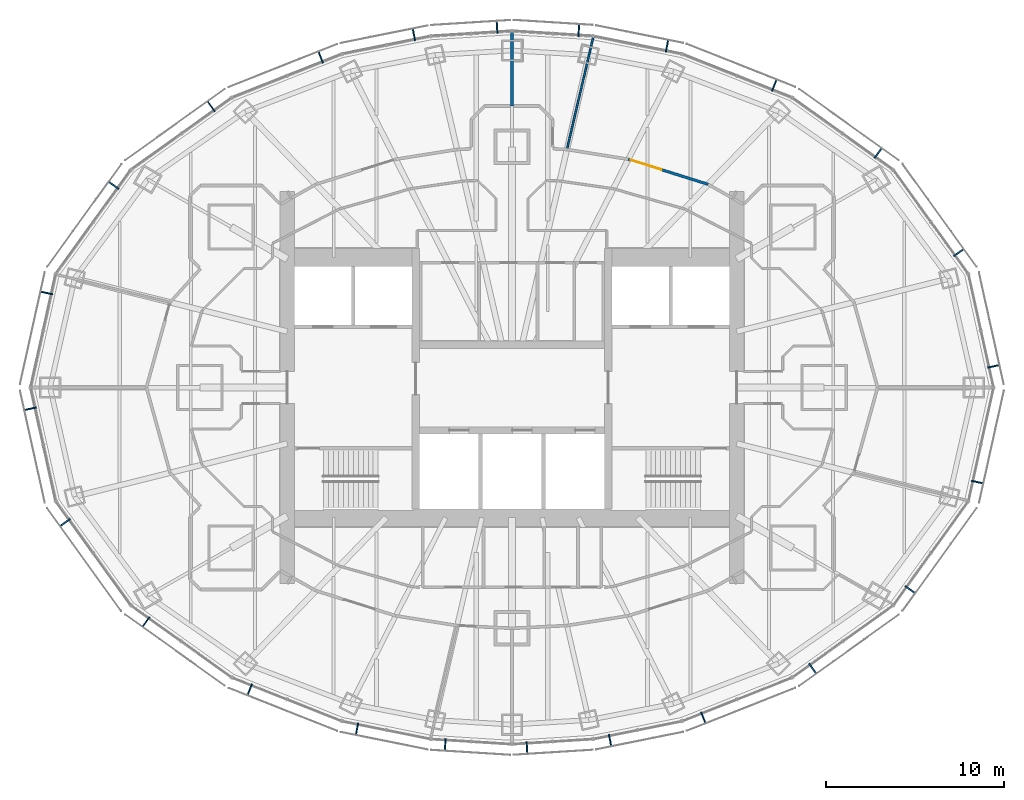
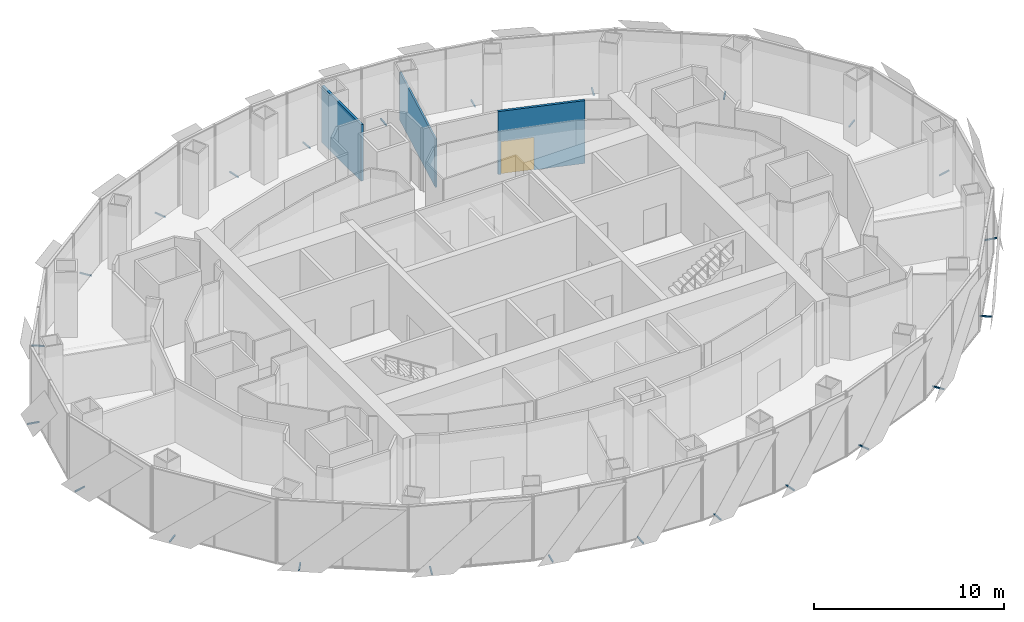
# One storey, part 15 of 18: 24 discrete accessories, 3 walls, 1 door, 1 opening.
"""IFC4 building model written with IfcOpenShell, lengths in metres."""

from ifc_helpers import new_model, si_unit, direction, frame, frame_2d, origin, origin_2d, place, context, subcontext, project, spatial, rectangle, extrude, material, layer, layer_set, type_object, element, fill, save


model = new_model("IFC4")

# Units and contexts
model_context = context("Model", 3, precision=1e-05, world=origin(), true_north=direction((0.0, 1.0)))
body_context = subcontext(model_context, "Body", "Model", "MODEL_VIEW")
ifc_project = project(units=[si_unit("LENGTHUNIT", "METRE"), si_unit("AREAUNIT", "SQUARE_METRE"), si_unit("VOLUMEUNIT", "CUBIC_METRE"), si_unit("PLANEANGLEUNIT", "RADIAN"), si_unit("MASSUNIT", "GRAM", prefix="KILO")], contexts=[model_context])

# Site, building, storey
site_placement = place(None, origin())
site = spatial("IfcSite", under=ifc_project, at=site_placement, CompositionType="ELEMENT")
building_placement = place(site_placement, origin())
building = spatial("IfcBuilding", under=site, at=building_placement, Name="Lantaw Convention Tower", CompositionType="ELEMENT")
storey_placement = place(building_placement, frame((0.0, 0.0, 257.800048828125)))
storey = spatial("IfcBuildingStorey", under=building, at=storey_placement, Name="L60", CompositionType="ELEMENT", Elevation=257.800048828125)

# Wall, opening, door
ifc_material_1 = material(Name="Gypsum board on steel studs, fire rated", Category="steel")
ifc_layer_1 = layer(ifc_material_1, 0.14990234375)
ifc_layer_set_1 = layer_set([ifc_layer_1], Name="Corridor wall 150 EI 60")
wall_type_1 = type_object("IfcWallType", Name="Corridor wall 150 EI 60", PredefinedType="PARTITIONING", material=ifc_layer_set_1)
wall_1_placement = place(storey_placement, frame((11.000732421875, 11.3916015625, 0.0), z_axis=(0.0, 0.0, 1.0), x_axis=(-0.954031103669, 0.299707612903, 0.0)))
wall_1 = element("IfcWall", 1, at=wall_1_placement, inside=storey, type_object=wall_type_1, Name="Corridor wall 150", PredefinedType="PARTITIONING", context=body_context, shape_type="SweptSolid", body=[
    extrude(rectangle(XDim=4.6953125, YDim=0.14990234375, at=frame_2d((2.34765625, 0.0))), origin(), (0.0, 0.0, 1.0), 4.050048828125),
])
opening_placement = place(wall_1_placement, frame((2.745361328125, 0.0, 0.0)))
opening = element("IfcOpeningElement", 2, at=opening_placement, cuts=wall_1, Name="Opening L60.26", PredefinedType="OPENING", context=body_context, shape_type="SweptSolid", body=[
    extrude(rectangle(XDim=1.800048828125, YDim=2.10009765625, at=frame_2d((0.89990234375, 1.050048828125))), frame((0.0, 0.0849609375, 0.0), z_axis=(0.0, -1.0, 0.0), x_axis=(1.0, 0.0, 0.0)), (0.0, 0.0, 1.0), 0.169921875),
])
ifc_material_2 = material(Name="Steel, fire rated", Category="steel")
door_type = type_object("IfcDoorType", Name="Office double door 1800 FD30", OperationType="DOUBLE_DOOR_DOUBLE_SWING", PredefinedType="DOOR", material=ifc_material_2)
door_placement = place(opening_placement, origin())
door = element("IfcDoor", 3, at=door_placement, inside=storey, type_object=door_type, Name="Tenant suite door", OperationType="DOUBLE_DOOR_DOUBLE_SWING", OverallHeight=2.10009765625, OverallWidth=1.800048828125, PredefinedType="DOOR", context=body_context, shape_type="SweptSolid", body=[
    extrude(rectangle(XDim=1.800048828125, YDim=2.10009765625, at=frame_2d((0.89990234375, 1.050048828125))), frame((0.0, 0.02490234375, 0.0), z_axis=(0.0, -1.0, 0.0), x_axis=(1.0, 0.0, 0.0)), (0.0, 0.0, 1.0), 0.050048828125),
])
fill(opening, door)

# Walls
ifc_material_3 = material(Name="Gypsum board on steel studs, acoustic", Category="steel")
ifc_layer_2 = layer(ifc_material_3, 0.10009765625)
ifc_layer_set_2 = layer_set([ifc_layer_2], Name="Office partition 100")
wall_type_2 = type_object("IfcWallType", Name="Office partition 100", PredefinedType="PARTITIONING", material=ifc_layer_set_2)
wall_2_placement = place(storey_placement, frame((4.5556640625, 19.65673828125, 0.0), z_axis=(0.0, 0.0, 1.0), x_axis=(-0.227524978141, -0.973772244584, 0.0)))
element("IfcWall", 4, at=wall_2_placement, inside=storey, type_object=wall_type_2, Name="Office partition 100", PredefinedType="PARTITIONING", context=body_context, shape_type="SweptSolid", body=[
    extrude(rectangle(XDim=6.47998046875, YDim=0.10009765625, at=frame_2d((3.239990234375, 0.0))), origin(), (0.0, 0.0, 1.0), 3.107666015625),
])
ifc_layer_3 = layer(ifc_material_1, 0.14990234375)
ifc_layer_set_3 = layer_set([ifc_layer_3], Name="Tenant separation wall 150 EI 60")
wall_type_3 = type_object("IfcWallType", Name="Tenant separation wall 150 EI 60", PredefinedType="PARTITIONING", material=ifc_layer_set_3)
wall_3_placement = place(storey_placement, frame((0.0, 19.94482421875, 0.0), z_axis=(0.0, 0.0, 1.0), x_axis=(0.0, -1.0, 0.0)))
element("IfcWall", 5, at=wall_3_placement, inside=storey, type_object=wall_type_3, Name="Tenant separation wall 150", PredefinedType="PARTITIONING", context=body_context, shape_type="SweptSolid", body=[
    extrude(rectangle(XDim=4.14990234375, YDim=0.14990234375, at=frame_2d((2.074951171875, 0.0))), origin(), (0.0, 0.0, 1.0), 3.64599609375),
])

# Discrete accessories
for number, where, z_axis, x_axis, name in (
    (6, (27.002197265625, 1.189453125, -0.114990234375), (0.0, 0.0, 1.0), (-0.215891333626, 0.976417396437, 0.0), "Screen bracket"),
    (7, (25.05419921875, 7.564453125, -0.114990234375), (0.0, 0.0, 1.0), (-0.585157643865, 0.810919559405, 0.0), "Screen bracket"),
    (8, (20.524169921875, 13.14453125, -0.114990234375), (0.0, 0.0, 1.0), (-0.813672540482, 0.581323487281, 0.0), "Screen bracket"),
    (9, (14.707763671875, 16.94140625, -0.114990234375), (0.0, 0.0, 1.0), (-0.929761533743, 0.368162315252, 0.0), "Screen bracket"),
    (10, (8.68896484375, 19.145751953125, -0.114990234375), (0.0, 0.0, 1.0), (-0.980366679695, 0.197183095987, 0.0), "Screen bracket"),
    (11, (3.743896484375, 20.024169921875, -0.114990234375), (0.0, 0.0, 1.0), (-0.998028774865, 0.062757983884, 0.0), "Screen bracket"),
    (12, (-0.83984375, 20.206787109375, -0.114990234375), (0.0, 0.0, 1.0), (-0.998028774865, -0.062757983884, 0.0), "Screen bracket"),
    (13, (-5.49853515625, 19.78759765625, -0.114990234375), (0.0, 0.0, 1.0), (-0.980366679695, -0.197183095987, 0.0), "Screen bracket"),
    (14, (-10.7255859375, 18.518310546875, -0.114990234375), (0.0, 0.0, 1.0), (-0.929761533743, -0.368162315252, 0.0), "Screen bracket"),
    (15, (-16.863525390625, 15.759765625, -0.114990234375), (0.0, 0.0, 1.0), (-0.813672540482, -0.581323487281, 0.0), "Screen bracket"),
    (16, (-22.333251953125, 11.3349609375, -0.114990234375), (0.0, 0.0, 1.0), (-0.585157643865, -0.810919559405, 0.0), "Screen bracket"),
    (17, (-26.0927734375, 5.302490234375, -0.114990234375), (0.0, 0.0, 1.0), (-0.215891333626, -0.976417396437, 0.0), "Screen bracket"),
    (18, (-27.002197265625, -1.189453125, -0.114990234375), (0.0, 0.0, 1.0), (0.215891333626, -0.976417396437, 0.0), "Screen bracket"),
    (19, (-25.05419921875, -7.564453125, -0.114990234375), (0.0, 0.0, 1.0), (0.585157643865, -0.810919559405, 0.0), "Screen bracket"),
    (20, (-20.524169921875, -13.14453125, -0.114990234375), (0.0, 0.0, 1.0), (0.813672540482, -0.581323487281, 0.0), "Screen bracket"),
    (21, (-14.707763671875, -16.94140625, -0.114990234375), (0.0, 0.0, 1.0), (0.929761533743, -0.368162315252, 0.0), "Screen bracket"),
    (22, (-8.68896484375, -19.145751953125, -0.114990234375), (0.0, 0.0, 1.0), (0.980366679695, -0.197183095987, 0.0), "Screen bracket"),
    (23, (-3.743896484375, -20.024169921875, -0.114990234375), (0.0, 0.0, 1.0), (0.998028774865, -0.062757983884, 0.0), "Screen bracket"),
    (24, (0.83984375, -20.206787109375, -0.114990234375), (0.0, 0.0, 1.0), (0.998028774865, 0.062757983884, 0.0), "Screen bracket"),
    (25, (5.49853515625, -19.78759765625, -0.114990234375), (0.0, 0.0, 1.0), (0.980366679695, 0.197183095987, 0.0), "Screen bracket"),
    (26, (10.7255859375, -18.518310546875, -0.114990234375), (0.0, 0.0, 1.0), (0.929761533743, 0.368162315252, 0.0), "Screen bracket"),
    (27, (16.863525390625, -15.759765625, -0.114990234375), (0.0, 0.0, 1.0), (0.813672540482, 0.581323487281, 0.0), "Screen bracket"),
    (28, (22.333251953125, -11.3349609375, -0.114990234375), (0.0, 0.0, 1.0), (0.585157643865, 0.810919559405, 0.0), "Screen bracket"),
    (29, (26.0927734375, -5.302490234375, -0.114990234375), (0.0, 0.0, 1.0), (0.215891333626, 0.976417396437, 0.0), "Screen bracket"),
):
    element("IfcDiscreteAccessory", number, at=place(storey_placement, frame(where, z_axis=z_axis, x_axis=x_axis)), inside=storey, Name=name, PredefinedType="BRACKET", context=body_context, shape_type="SweptSolid", body=[
        extrude(rectangle(XDim=0.080078125, YDim=0.68798828125, at=origin_2d()), origin(), (0.0, 0.0, 1.0), 0.080078125),
    ])

save(model, "model.ifc")
